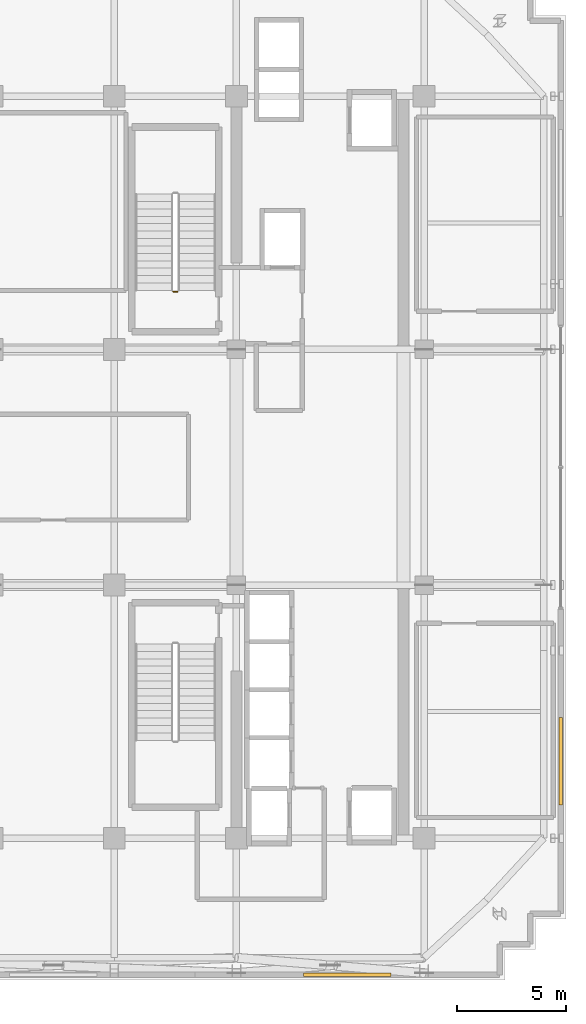
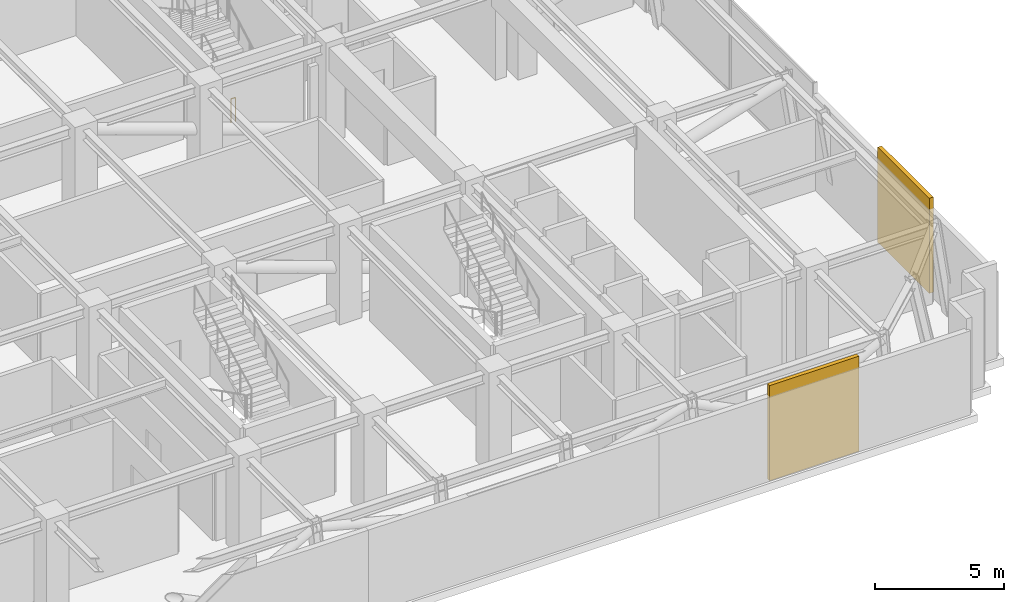
# One storey, part 13 of 15: 2 shading devices, 1 railing.
"""IFC4 building model written with IfcOpenShell, lengths in metres."""

from ifc_helpers import new_model, si_unit, direction, frame, origin, origin_2d, place, context, subcontext, project, spatial, rectangle, circle, extrude, source, transform, mapped, material, layer, layer_set, type_object, element, save


model = new_model("IFC4")

# Units and contexts
model_context = context("Model", 3, precision=1e-05, world=origin(), true_north=direction((0.0, 1.0)))
body_context = subcontext(model_context, "Body", "Model", "MODEL_VIEW")
ifc_project = project(units=[si_unit("LENGTHUNIT", "METRE"), si_unit("AREAUNIT", "SQUARE_METRE"), si_unit("VOLUMEUNIT", "CUBIC_METRE"), si_unit("PLANEANGLEUNIT", "RADIAN"), si_unit("MASSUNIT", "GRAM", prefix="KILO")], contexts=[model_context])

# Site, building, storey
site_placement = place(None, origin())
site = spatial("IfcSite", under=ifc_project, at=site_placement, CompositionType="ELEMENT")
building_placement = place(site_placement, origin())
building = spatial("IfcBuilding", under=site, at=building_placement, Name="Nahalor Promenade Grand Hotel", CompositionType="ELEMENT")
storey_placement = place(building_placement, frame((0.0, 0.0, 261.5)))
storey = spatial("IfcBuildingStorey", under=building, at=storey_placement, Name="L67", CompositionType="ELEMENT", Elevation=261.5)

# Railing
ifc_material_1 = material(Name="Steel S355JR", Category="steel")
railing_type = type_object("IfcRailingType", Name="Steel Stair Guardrail 1150 mm", PredefinedType="GUARDRAIL", material=ifc_material_1)
railing_placement = place(storey_placement, frame((5.699951171875, 8.050048828125, 0.0)))
element("IfcRailing", 1, at=railing_placement, inside=storey, type_object=railing_type, Name="L67 ST1 stair guard 4", PredefinedType="GUARDRAIL", context=body_context, shape_type="SweptSolid", body=[
    extrude(circle(Radius=0.024048, at=origin_2d()), frame((0.0, 0.0, 1.1259765625), z_axis=(-1.0, 0.0, 0.0), x_axis=(0.0, -1.0, 0.0)), (0.0, 0.0, 1.0), 0.199951171875),
    extrude(circle(Radius=0.020996, at=origin_2d()), origin(), (0.0, 0.0, 1.0), 1.099853515625),
    extrude(circle(Radius=0.020996, at=origin_2d()), frame((-0.199951171875, 0.0, 0.0)), (0.0, 0.0, 1.0), 1.099853515625),
])

# Shading devices
ifc_material_2 = material(Name="Anodised Bronze Aluminium EN AW-6063 T6", Category="aluminium")
ifc_layer = layer(ifc_material_2, 0.179931640625)
ifc_layer_set = layer_set([ifc_layer], Name="Anodised Bronze Aluminium EN AW-6063 T6")
shading_device_type = type_object("IfcShadingDeviceType", Name="Shade-PlantLouvre-Bronze", PredefinedType="USERDEFINED", material=ifc_layer_set)
shared_shape = source(origin(), body_context, "Body", "SweptSolid", [
    extrude(rectangle(XDim=4.0, YDim=0.179931640625, at=origin_2d()), origin(), (0.0, 0.0, 1.0), 4.5),
])
for number, where, z_axis, x_axis, name in (
    (2, (13.47998046875, -23.260009765625, 0.0), (0.0, 0.0, 1.0), (1.0, 0.0, 0.0), "LV-L67-SR"),
    (3, (23.260009765625, -13.47998046875, 0.0), (0.0, 0.0, 1.0), (0.0, 1.0, 0.0), "LV-L67-EL"),
):
    element("IfcShadingDevice", number, at=place(storey_placement, frame(where, z_axis=z_axis, x_axis=x_axis)), inside=storey, type_object=shading_device_type, Name=name, ObjectType="LOUVRE", PredefinedType="USERDEFINED", context=body_context, shape_type="MappedRepresentation", body=[
        mapped(shared_shape, transform((0.0, 0.0, 0.0), scale=1.0)),
    ])

save(model, "model.ifc")
